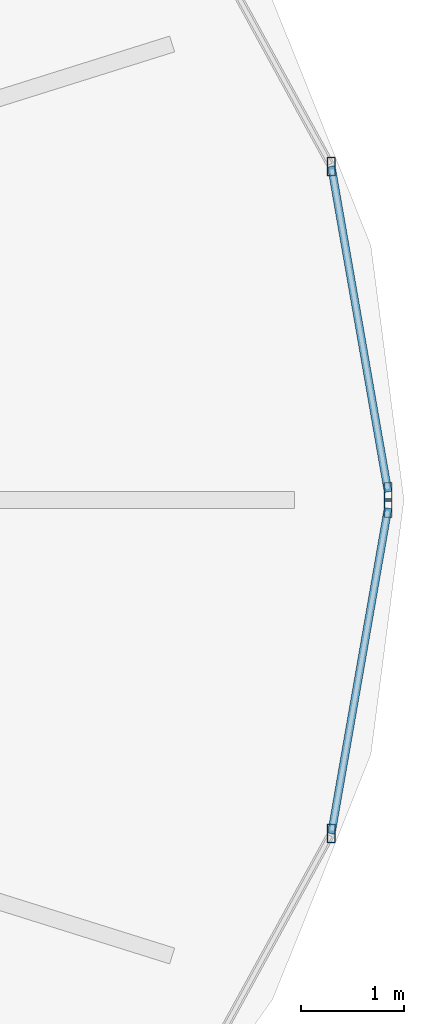
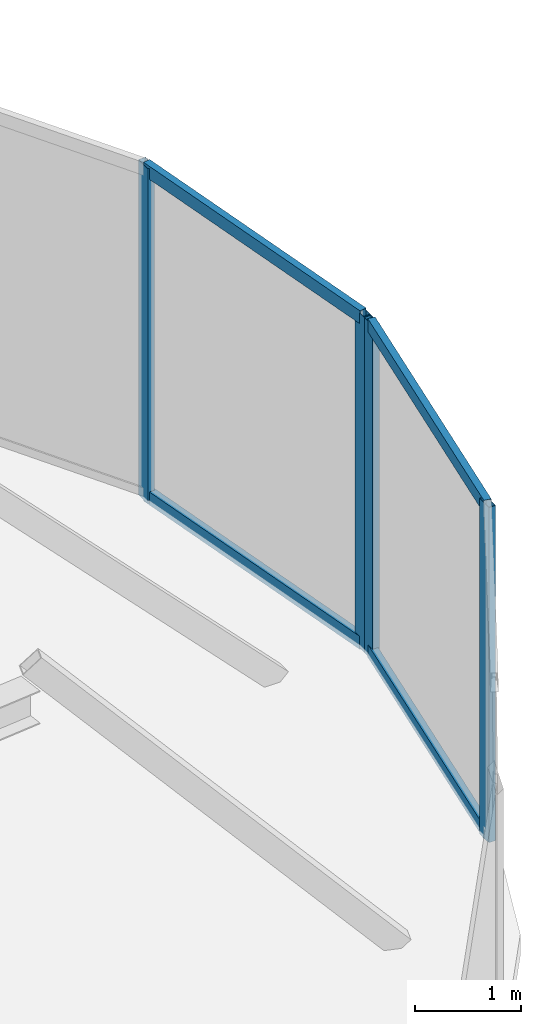
# One storey, part 12 of 13: 8 members, 2 elements without a shape of their own.
"""IFC4 building model written with IfcOpenShell, lengths in metres."""

import ifcopenshell
import ifcopenshell.guid

model = None  # the IFC model being written
_history = None  # IfcOwnerHistory: only IFC2X3 demands one
_inside = {}  # id of a spatial element -> (the spatial element, [elements in it])
_under = {}  # id of a project, library or spatial element -> (it, [spatial elements below it])
_declared = {}  # id of a project -> (the project, [libraries it declares])
_typed = {}  # id of a type object -> (the type object, [elements of that type])
_made_of = {}  # id of a material, layer set ... -> (it, [elements and type objects made of it])


def new_model(schema):
    """Start an empty IFC model of exactly this schema.

    Asked for "IFC4X3", IfcOpenShell would pick the latest addendum, in which some entities
    have other attributes; the version numbers below select the first issue.
    IFC2X3 requires an IfcOwnerHistory on every rooted entity: one is made here for all.
    """
    global model, _history
    if schema == "IFC4X3":
        model = ifcopenshell.file(schema_version=(4, 3, 0, 0))
    else:
        model = ifcopenshell.file(schema=schema)
    _inside.clear()
    _under.clear()
    _declared.clear()
    _typed.clear()
    _made_of.clear()
    _history = None
    if model.schema == "IFC2X3":
        org = make("IfcOrganization", Name="unknown")
        user = make(
            "IfcPersonAndOrganization",
            ThePerson=make("IfcPerson", FamilyName="unknown"),
            TheOrganization=org,
        )
        app = make(
            "IfcApplication",
            ApplicationDeveloper=org,
            Version="unknown",
            ApplicationFullName="unknown",
            ApplicationIdentifier="unknown",
        )
        _history = make(
            "IfcOwnerHistory",
            OwningUser=user,
            OwningApplication=app,
            ChangeAction="ADDED",
            CreationDate=0,
        )
    return model


def make(cls, **values):
    """One entity of the class cls with the attributes given. An attribute that is None is left unset."""
    return model.create_entity(
        cls, **{name: value for name, value in values.items() if value is not None}
    )


def rooted(cls, **values):
    """An entity with a GlobalId (a new one), such as an element, a storey or a relation."""
    return make(cls, GlobalId=ifcopenshell.guid.new(), OwnerHistory=_history, **values)


def si_unit(unit_type, name, prefix=None):
    """IfcSIUnit, for example si_unit("LENGTHUNIT", "METRE", prefix="MILLI")."""
    return make("IfcSIUnit", UnitType=unit_type, Prefix=prefix, Name=name)


def assignment(units):
    """IfcUnitAssignment: the units of a project."""
    return None if units is None else make("IfcUnitAssignment", Units=units)


def point(xyz):
    """IfcCartesianPoint."""
    return None if xyz is None else make("IfcCartesianPoint", Coordinates=xyz)


def direction(xyz):
    """IfcDirection."""
    return None if xyz is None else make("IfcDirection", DirectionRatios=xyz)


def frame(location, z_axis=None, x_axis=None):
    """IfcAxis2Placement3D, a coordinate frame: its origin and axes. An axis left out is left unset."""
    return make(
        "IfcAxis2Placement3D",
        Location=point(location),
        Axis=direction(z_axis),
        RefDirection=direction(x_axis),
    )


def frame_2d(location, x_axis=None):
    """IfcAxis2Placement2D, a coordinate frame in the plane: its origin and x axis."""
    return make(
        "IfcAxis2Placement2D", Location=point(location), RefDirection=direction(x_axis)
    )


def origin():
    """The frame at (0, 0, 0) with its axes left unset."""
    return frame((0.0, 0.0, 0.0))


def origin_2d():
    """The frame at (0, 0) in the plane with its x axis left unset."""
    return frame_2d((0.0, 0.0))


def place(relative_to, where):
    """IfcLocalPlacement: puts the frame where relative to a parent placement (None: the world)."""
    return make(
        "IfcLocalPlacement", PlacementRelTo=relative_to, RelativePlacement=where
    )


def context(
    kind, dimensions, precision=None, world=None, true_north=None, identifier=None
):
    """IfcGeometricRepresentationContext, for example the 3D "Model" context."""
    return make(
        "IfcGeometricRepresentationContext",
        ContextIdentifier=identifier,
        ContextType=kind,
        CoordinateSpaceDimension=dimensions,
        Precision=precision,
        WorldCoordinateSystem=world,
        TrueNorth=true_north,
    )


def subcontext(parent, identifier, kind, view, scale=None):
    """IfcGeometricRepresentationSubContext, for example "Body" below "Model"."""
    return make(
        "IfcGeometricRepresentationSubContext",
        ContextIdentifier=identifier,
        ContextType=kind,
        ParentContext=parent,
        TargetScale=scale,
        TargetView=view,
    )


def project(units=None, contexts=None):
    """IfcProject with its units and contexts."""
    return rooted(
        "IfcProject",
        Name="project",
        RepresentationContexts=contexts,
        UnitsInContext=assignment(units),
    )


def spatial(cls, under=None, at=None, **own):
    """A site, building, storey or space (cls), placed at a placement, below another one or the project."""
    s = rooted(cls, ObjectPlacement=at, **own)
    if under is not None:
        _under.setdefault(under.id(), (under, []))[1].append(s)
    return s


def profile(cls, at=None, kind="AREA", **sizes):
    """A parametric profile (cls). Its sizes go by their IFC names, for example OverallWidth=200.0."""
    return make(cls, ProfileType=kind, Position=at, **sizes)


def hollow_rectangle(**sizes):
    """IfcRectangleHollowProfileDef."""
    return profile("IfcRectangleHollowProfileDef", **sizes)


def extrude(swept, where, along, depth):
    """IfcExtrudedAreaSolid: the profile swept, set in the frame where, extruded along a direction by depth."""
    return make(
        "IfcExtrudedAreaSolid",
        SweptArea=swept,
        Position=where,
        ExtrudedDirection=direction(along),
        Depth=depth,
    )


def shape(context_of_items, identifier, shape_type, items):
    """IfcShapeRepresentation: the items that make up one representation, for example the "Body"."""
    return make(
        "IfcShapeRepresentation",
        ContextOfItems=context_of_items,
        RepresentationIdentifier=identifier,
        RepresentationType=shape_type,
        Items=items,
    )


def material(Name=None, Category=None):
    """IfcMaterial."""
    return make("IfcMaterial", Name=Name, Category=Category)


def material_profile(
    of_material, cross_section, Name=None, Category=None, Priority=None
):
    """IfcMaterialProfile: a cross section and its material."""
    return make(
        "IfcMaterialProfile",
        Name=Name,
        Material=of_material,
        Profile=cross_section,
        Priority=Priority,
        Category=Category,
    )


def profile_set(profiles, Name=None, composite=None):
    """IfcMaterialProfileSet."""
    return make(
        "IfcMaterialProfileSet",
        Name=Name,
        MaterialProfiles=profiles,
        CompositeProfile=composite,
    )


def made_of(thing, what):
    """Note that an element or type object is made of a material, layer set ...; save() writes the relation."""
    if what is not None:
        _made_of.setdefault(what.id(), (what, []))[1].append(thing)
    return thing


def type_object(cls, material=None, **own):
    """A type object (cls), such as IfcWallType, which elements share."""
    return made_of(rooted(cls, **own), material)


def element(
    cls,
    number,
    at=None,
    inside=None,
    cuts=None,
    type_object=None,
    material=None,
    context=None,
    identifier="Body",
    shape_type=None,
    held_by="IfcProductDefinitionShape",
    body=None,
    shapes=None,
    **own,
):
    """One element of the class cls, such as IfcWall. Its Tag is "e" and its number.

    at: its placement. inside: the storey or other place that contains it. cuts: it is an
    opening in that element (IfcRelVoidsElement). A single representation is given by context,
    identifier, shape_type and body (its items); several are given by shapes. held_by: the class
    of the entity that holds the representations. save() writes the other relations.
    """
    e = rooted(cls, Tag="e%d" % number, ObjectPlacement=at, **own)
    if body is not None:
        shapes = [shape(context, identifier, shape_type, body)]
    if shapes is not None:
        e.Representation = make(held_by, Representations=shapes)
    if inside is not None:
        _inside.setdefault(inside.id(), (inside, []))[1].append(e)
    if cuts is not None:
        rooted(
            "IfcRelVoidsElement", RelatingBuildingElement=cuts, RelatedOpeningElement=e
        )
    if type_object is not None:
        _typed.setdefault(type_object.id(), (type_object, []))[1].append(e)
    return made_of(e, material)


def aggregate(whole, parts):
    """IfcRelAggregates: a whole, such as a stair, and the parts it consists of."""
    return rooted("IfcRelAggregates", RelatingObject=whole, RelatedObjects=parts)


def save(model, path):
    """Write the relations noted so far, then the file.

    IfcRelAggregates (storeys below a building ...), IfcRelContainedInSpatialStructure (elements
    in a storey), IfcRelDefinesByType, IfcRelAssociatesMaterial and IfcRelDeclares: one each for
    every whole, place, type object, material and project.
    """
    for whole, parts in _under.values():
        aggregate(whole, parts)
    for where, things in _inside.values():
        rooted(
            "IfcRelContainedInSpatialStructure",
            RelatedElements=things,
            RelatingStructure=where,
        )
    for kind, things in _typed.values():
        rooted("IfcRelDefinesByType", RelatedObjects=things, RelatingType=kind)
    for what, things in _made_of.values():
        rooted("IfcRelAssociatesMaterial", RelatedObjects=things, RelatingMaterial=what)
    for by, libraries in _declared.values():
        rooted("IfcRelDeclares", RelatingContext=by, RelatedDefinitions=libraries)
    model.write(path)


model = new_model("IFC4")

# Units and contexts
model_context = context("Model", 3, precision=1e-05, world=origin(), true_north=direction((0.0, 1.0)))
body_context = subcontext(model_context, "Body", "Model", "MODEL_VIEW")
ifc_project = project(units=[si_unit("LENGTHUNIT", "METRE"), si_unit("AREAUNIT", "SQUARE_METRE"), si_unit("VOLUMEUNIT", "CUBIC_METRE"), si_unit("PLANEANGLEUNIT", "RADIAN"), si_unit("MASSUNIT", "GRAM", prefix="KILO")], contexts=[model_context])

# Site, building, storey
site_placement = place(None, origin())
site = spatial("IfcSite", under=ifc_project, at=site_placement, CompositionType="ELEMENT")
building_placement = place(site_placement, origin())
building = spatial("IfcBuilding", under=site, at=building_placement, Name="Vorneva Point Tower", CompositionType="ELEMENT")
storey_placement = place(building_placement, frame((0.0, 0.0, 303.0)))
storey = spatial("IfcBuildingStorey", under=building, at=storey_placement, Name="C03", CompositionType="ELEMENT", Elevation=303.0)

# Curtain wall, members
ifc_material = material(Name="Pale anodised aluminium", Category="aluminium")
curtain_wall_type = type_object("IfcCurtainWallType", Name="CW-CRN-SYS", PredefinedType="NOTDEFINED", material=ifc_material)
curtain_wall_1_placement = place(storey_placement, origin())
curtain_wall_1 = element("IfcCurtainWall", 1, at=curtain_wall_1_placement, inside=storey, type_object=curtain_wall_type, Name="C03 Unitised Curtain Wall CW-C03-Q1", PredefinedType="NOTDEFINED")
ifc_material_profile_1 = material_profile(ifc_material, hollow_rectangle(XDim=0.074951171875, YDim=0.179931640625, WallThickness=0.00390625, at=origin_2d()), Name="AL-MUL 180x75x4")
ifc_profile_set_1 = profile_set([ifc_material_profile_1], Name="Pale anodised aluminium")
member_type_1 = type_object("IfcMemberType", Name="CW-MUL-180", PredefinedType="MULLION", material=ifc_profile_set_1)
member_1_placement = place(storey_placement, frame((54.478271484375, 26.078857421875, -0.0400390625), z_axis=(0.0, 0.0, 1.0), x_axis=(1.0, 0.0, 0.0)))
member_1 = element("IfcMember", 2, at=member_1_placement, type_object=member_type_1, Name="CW-C03-Q1 Mullion 01", PredefinedType="MULLION", context=body_context, shape_type="SweptSolid", body=[
    extrude(hollow_rectangle(XDim=0.074951171875, YDim=0.179931640625, WallThickness=0.00390625, at=origin_2d()), origin(), (0.0, 0.0, 1.0), 3.8701171875),
])
member_2_placement = place(storey_placement, frame((53.929931640625, 29.224853515625, -0.0400390625), z_axis=(0.0, 0.0, 1.0), x_axis=(1.0, 0.0, 0.0)))
member_2 = element("IfcMember", 3, at=member_2_placement, type_object=member_type_1, Name="CW-C03-Q1 Mullion 02", PredefinedType="MULLION", context=body_context, shape_type="SweptSolid", body=[
    extrude(hollow_rectangle(XDim=0.074951171875, YDim=0.179931640625, WallThickness=0.00390625, at=origin_2d()), origin(), (0.0, 0.0, 1.0), 3.8701171875),
])

curtain_wall_2_placement = place(storey_placement, origin())
curtain_wall_2 = element("IfcCurtainWall", 4, at=curtain_wall_2_placement, inside=storey, type_object=curtain_wall_type, Name="C03 Unitised Curtain Wall CW-C03-Q4", PredefinedType="NOTDEFINED")
member_3_placement = place(storey_placement, frame((53.929931640625, 22.775146484375, -0.0400390625), z_axis=(0.0, 0.0, 1.0), x_axis=(1.0, 0.0, 0.0)))
member_3 = element("IfcMember", 5, at=member_3_placement, type_object=member_type_1, Name="CW-C03-Q4 Mullion 06", PredefinedType="MULLION", context=body_context, shape_type="SweptSolid", body=[
    extrude(hollow_rectangle(XDim=0.074951171875, YDim=0.179931640625, WallThickness=0.00390625, at=origin_2d()), origin(), (0.0, 0.0, 1.0), 3.8701171875),
])
member_4_placement = place(storey_placement, frame((54.478271484375, 25.921142578125, -0.0400390625), z_axis=(0.0, 0.0, 1.0), x_axis=(1.0, 0.0, 0.0)))
member_4 = element("IfcMember", 6, at=member_4_placement, type_object=member_type_1, Name="CW-C03-Q4 Mullion 07", PredefinedType="MULLION", context=body_context, shape_type="SweptSolid", body=[
    extrude(hollow_rectangle(XDim=0.074951171875, YDim=0.179931640625, WallThickness=0.00390625, at=origin_2d()), origin(), (0.0, 0.0, 1.0), 3.8701171875),
])

# Member
ifc_material_profile_2 = material_profile(ifc_material, hollow_rectangle(XDim=0.074951171875, YDim=0.14990234375, WallThickness=0.00390625, at=origin_2d()), Name="AL-TRN 150x75x4")
ifc_profile_set_2 = profile_set([ifc_material_profile_2], Name="Pale anodised aluminium")
member_type_2 = type_object("IfcMemberType", Name="CW-TRN-150", PredefinedType="USERDEFINED", material=ifc_profile_set_2)
member_5_placement = place(storey_placement, frame((54.478271484375, 26.078857421875, 0.02001953125), z_axis=(-0.171708969323, 0.985147719814, 0.0), x_axis=(-0.985147719814, -0.171708969323, 0.0)))
member_5 = element("IfcMember", 7, at=member_5_placement, type_object=member_type_2, Name="CW-C03-Q1 Transom 01.1", ObjectType="TRANSOM", PredefinedType="USERDEFINED", context=body_context, shape_type="SweptSolid", body=[
    extrude(hollow_rectangle(XDim=0.074951171875, YDim=0.14990234375, WallThickness=0.00390625, at=origin_2d()), origin(), (0.0, 0.0, 1.0), 3.193359375),
])

member_6_placement = place(storey_placement, frame((54.478271484375, 26.078857421875, 3.780029296875), z_axis=(-0.171708969323, 0.985147719814, 0.0), x_axis=(-0.985147719814, -0.171708969323, 0.0)))
member_6 = element("IfcMember", 8, at=member_6_placement, type_object=member_type_2, Name="CW-C03-Q1 Transom 01.2", ObjectType="TRANSOM", PredefinedType="USERDEFINED", context=body_context, shape_type="SweptSolid", body=[
    extrude(hollow_rectangle(XDim=0.074951171875, YDim=0.14990234375, WallThickness=0.00390625, at=origin_2d()), origin(), (0.0, 0.0, 1.0), 3.193359375),
])

aggregate(curtain_wall_1, [member_1, member_2, member_5, member_6])

member_7_placement = place(storey_placement, frame((53.929931640625, 22.775146484375, 0.02001953125), z_axis=(0.171708969323, 0.985147719814, 0.0), x_axis=(-0.985147719814, 0.171708969323, 0.0)))
member_7 = element("IfcMember", 9, at=member_7_placement, type_object=member_type_2, Name="CW-C03-Q4 Transom 06.1", ObjectType="TRANSOM", PredefinedType="USERDEFINED", context=body_context, shape_type="SweptSolid", body=[
    extrude(hollow_rectangle(XDim=0.074951171875, YDim=0.14990234375, WallThickness=0.00390625, at=origin_2d()), origin(), (0.0, 0.0, 1.0), 3.193359375),
])

member_8_placement = place(storey_placement, frame((53.929931640625, 22.775146484375, 3.780029296875), z_axis=(0.171708969323, 0.985147719814, 0.0), x_axis=(-0.985147719814, 0.171708969323, 0.0)))
member_8 = element("IfcMember", 10, at=member_8_placement, type_object=member_type_2, Name="CW-C03-Q4 Transom 06.2", ObjectType="TRANSOM", PredefinedType="USERDEFINED", context=body_context, shape_type="SweptSolid", body=[
    extrude(hollow_rectangle(XDim=0.074951171875, YDim=0.14990234375, WallThickness=0.00390625, at=origin_2d()), origin(), (0.0, 0.0, 1.0), 3.193359375),
])

aggregate(curtain_wall_2, [member_3, member_4, member_7, member_8])

save(model, "model.ifc")
